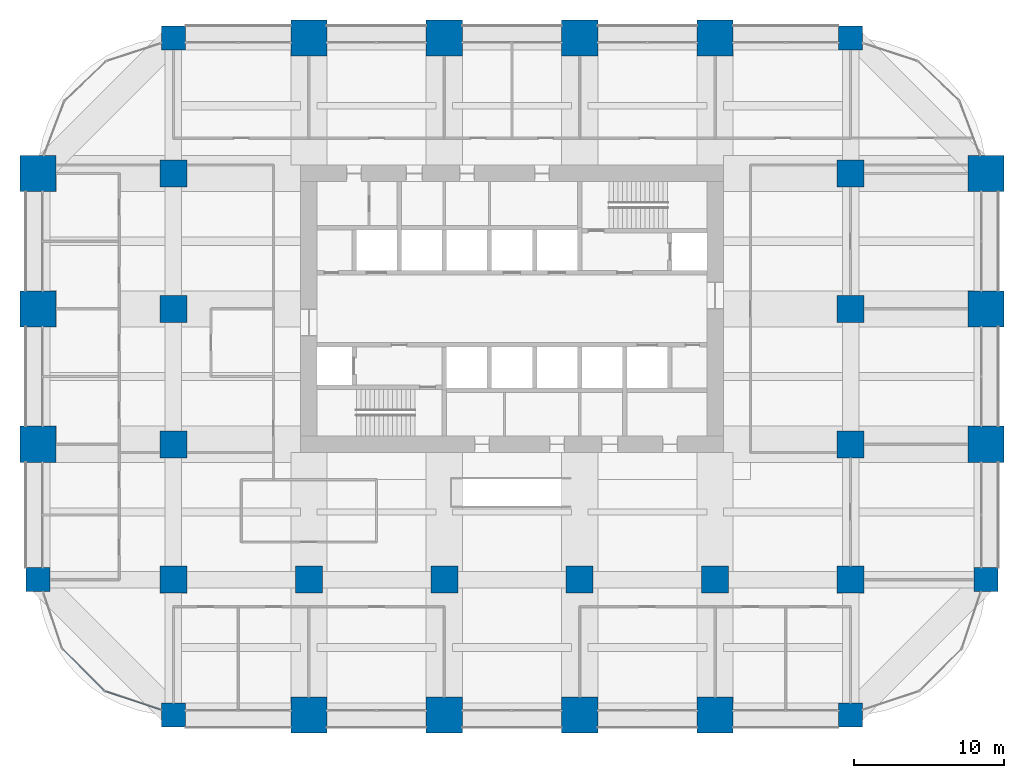
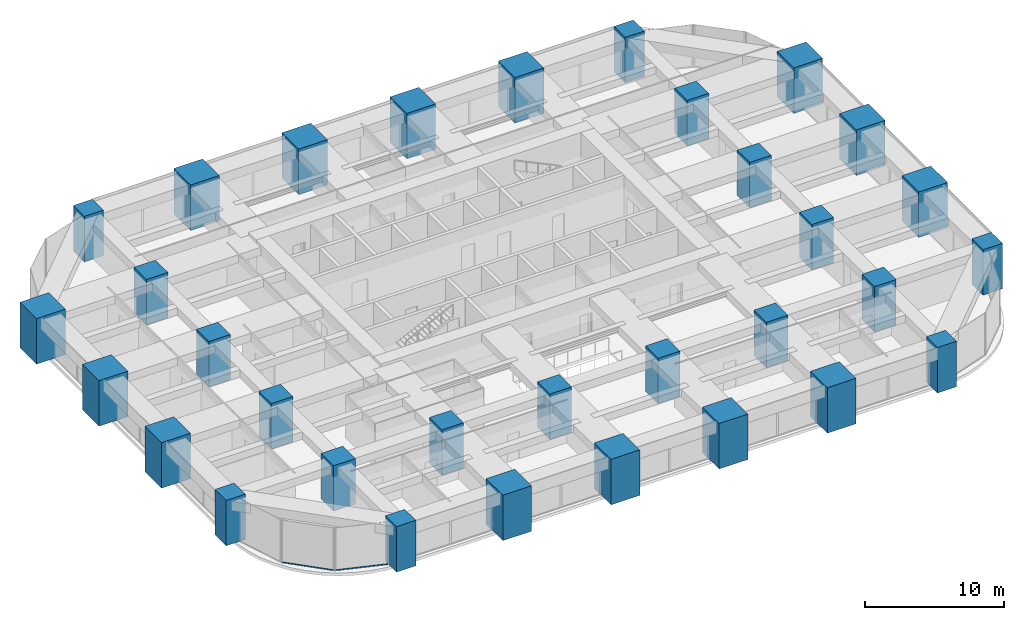
# One storey, part 1 of 43: 32 columns, 2 members, 2 elements without a shape of their own.
"""IFC4 building model written with IfcOpenShell, lengths in metres."""

import ifcopenshell
import ifcopenshell.guid

model = None  # the IFC model being written
_history = None  # IfcOwnerHistory: only IFC2X3 demands one
_inside = {}  # id of a spatial element -> (the spatial element, [elements in it])
_under = {}  # id of a project, library or spatial element -> (it, [spatial elements below it])
_declared = {}  # id of a project -> (the project, [libraries it declares])
_typed = {}  # id of a type object -> (the type object, [elements of that type])
_made_of = {}  # id of a material, layer set ... -> (it, [elements and type objects made of it])


def new_model(schema):
    """Start an empty IFC model of exactly this schema.

    Asked for "IFC4X3", IfcOpenShell would pick the latest addendum, in which some entities
    have other attributes; the version numbers below select the first issue.
    IFC2X3 requires an IfcOwnerHistory on every rooted entity: one is made here for all.
    """
    global model, _history
    if schema == "IFC4X3":
        model = ifcopenshell.file(schema_version=(4, 3, 0, 0))
    else:
        model = ifcopenshell.file(schema=schema)
    _inside.clear()
    _under.clear()
    _declared.clear()
    _typed.clear()
    _made_of.clear()
    _history = None
    if model.schema == "IFC2X3":
        org = make("IfcOrganization", Name="unknown")
        user = make(
            "IfcPersonAndOrganization",
            ThePerson=make("IfcPerson", FamilyName="unknown"),
            TheOrganization=org,
        )
        app = make(
            "IfcApplication",
            ApplicationDeveloper=org,
            Version="unknown",
            ApplicationFullName="unknown",
            ApplicationIdentifier="unknown",
        )
        _history = make(
            "IfcOwnerHistory",
            OwningUser=user,
            OwningApplication=app,
            ChangeAction="ADDED",
            CreationDate=0,
        )
    return model


def make(cls, **values):
    """One entity of the class cls with the attributes given. An attribute that is None is left unset."""
    return model.create_entity(
        cls, **{name: value for name, value in values.items() if value is not None}
    )


def rooted(cls, **values):
    """An entity with a GlobalId (a new one), such as an element, a storey or a relation."""
    return make(cls, GlobalId=ifcopenshell.guid.new(), OwnerHistory=_history, **values)


def si_unit(unit_type, name, prefix=None):
    """IfcSIUnit, for example si_unit("LENGTHUNIT", "METRE", prefix="MILLI")."""
    return make("IfcSIUnit", UnitType=unit_type, Prefix=prefix, Name=name)


def assignment(units):
    """IfcUnitAssignment: the units of a project."""
    return None if units is None else make("IfcUnitAssignment", Units=units)


def point(xyz):
    """IfcCartesianPoint."""
    return None if xyz is None else make("IfcCartesianPoint", Coordinates=xyz)


def direction(xyz):
    """IfcDirection."""
    return None if xyz is None else make("IfcDirection", DirectionRatios=xyz)


def frame(location, z_axis=None, x_axis=None):
    """IfcAxis2Placement3D, a coordinate frame: its origin and axes. An axis left out is left unset."""
    return make(
        "IfcAxis2Placement3D",
        Location=point(location),
        Axis=direction(z_axis),
        RefDirection=direction(x_axis),
    )


def frame_2d(location, x_axis=None):
    """IfcAxis2Placement2D, a coordinate frame in the plane: its origin and x axis."""
    return make(
        "IfcAxis2Placement2D", Location=point(location), RefDirection=direction(x_axis)
    )


def origin():
    """The frame at (0, 0, 0) with its axes left unset."""
    return frame((0.0, 0.0, 0.0))


def origin_2d():
    """The frame at (0, 0) in the plane with its x axis left unset."""
    return frame_2d((0.0, 0.0))


def place(relative_to, where):
    """IfcLocalPlacement: puts the frame where relative to a parent placement (None: the world)."""
    return make(
        "IfcLocalPlacement", PlacementRelTo=relative_to, RelativePlacement=where
    )


def context(
    kind, dimensions, precision=None, world=None, true_north=None, identifier=None
):
    """IfcGeometricRepresentationContext, for example the 3D "Model" context."""
    return make(
        "IfcGeometricRepresentationContext",
        ContextIdentifier=identifier,
        ContextType=kind,
        CoordinateSpaceDimension=dimensions,
        Precision=precision,
        WorldCoordinateSystem=world,
        TrueNorth=true_north,
    )


def subcontext(parent, identifier, kind, view, scale=None):
    """IfcGeometricRepresentationSubContext, for example "Body" below "Model"."""
    return make(
        "IfcGeometricRepresentationSubContext",
        ContextIdentifier=identifier,
        ContextType=kind,
        ParentContext=parent,
        TargetScale=scale,
        TargetView=view,
    )


def project(units=None, contexts=None):
    """IfcProject with its units and contexts."""
    return rooted(
        "IfcProject",
        Name="project",
        RepresentationContexts=contexts,
        UnitsInContext=assignment(units),
    )


def spatial(cls, under=None, at=None, **own):
    """A site, building, storey or space (cls), placed at a placement, below another one or the project."""
    s = rooted(cls, ObjectPlacement=at, **own)
    if under is not None:
        _under.setdefault(under.id(), (under, []))[1].append(s)
    return s


def profile(cls, at=None, kind="AREA", **sizes):
    """A parametric profile (cls). Its sizes go by their IFC names, for example OverallWidth=200.0."""
    return make(cls, ProfileType=kind, Position=at, **sizes)


def rectangle(**sizes):
    """IfcRectangleProfileDef."""
    return profile("IfcRectangleProfileDef", **sizes)


def hollow_rectangle(**sizes):
    """IfcRectangleHollowProfileDef."""
    return profile("IfcRectangleHollowProfileDef", **sizes)


def extrude(swept, where, along, depth):
    """IfcExtrudedAreaSolid: the profile swept, set in the frame where, extruded along a direction by depth."""
    return make(
        "IfcExtrudedAreaSolid",
        SweptArea=swept,
        Position=where,
        ExtrudedDirection=direction(along),
        Depth=depth,
    )


def shape(context_of_items, identifier, shape_type, items):
    """IfcShapeRepresentation: the items that make up one representation, for example the "Body"."""
    return make(
        "IfcShapeRepresentation",
        ContextOfItems=context_of_items,
        RepresentationIdentifier=identifier,
        RepresentationType=shape_type,
        Items=items,
    )


def material(Name=None, Category=None):
    """IfcMaterial."""
    return make("IfcMaterial", Name=Name, Category=Category)


def material_profile(
    of_material, cross_section, Name=None, Category=None, Priority=None
):
    """IfcMaterialProfile: a cross section and its material."""
    return make(
        "IfcMaterialProfile",
        Name=Name,
        Material=of_material,
        Profile=cross_section,
        Priority=Priority,
        Category=Category,
    )


def profile_set(profiles, Name=None, composite=None):
    """IfcMaterialProfileSet."""
    return make(
        "IfcMaterialProfileSet",
        Name=Name,
        MaterialProfiles=profiles,
        CompositeProfile=composite,
    )


def made_of(thing, what):
    """Note that an element or type object is made of a material, layer set ...; save() writes the relation."""
    if what is not None:
        _made_of.setdefault(what.id(), (what, []))[1].append(thing)
    return thing


def type_object(cls, material=None, **own):
    """A type object (cls), such as IfcWallType, which elements share."""
    return made_of(rooted(cls, **own), material)


def element(
    cls,
    number,
    at=None,
    inside=None,
    cuts=None,
    type_object=None,
    material=None,
    context=None,
    identifier="Body",
    shape_type=None,
    held_by="IfcProductDefinitionShape",
    body=None,
    shapes=None,
    **own,
):
    """One element of the class cls, such as IfcWall. Its Tag is "e" and its number.

    at: its placement. inside: the storey or other place that contains it. cuts: it is an
    opening in that element (IfcRelVoidsElement). A single representation is given by context,
    identifier, shape_type and body (its items); several are given by shapes. held_by: the class
    of the entity that holds the representations. save() writes the other relations.
    """
    e = rooted(cls, Tag="e%d" % number, ObjectPlacement=at, **own)
    if body is not None:
        shapes = [shape(context, identifier, shape_type, body)]
    if shapes is not None:
        e.Representation = make(held_by, Representations=shapes)
    if inside is not None:
        _inside.setdefault(inside.id(), (inside, []))[1].append(e)
    if cuts is not None:
        rooted(
            "IfcRelVoidsElement", RelatingBuildingElement=cuts, RelatedOpeningElement=e
        )
    if type_object is not None:
        _typed.setdefault(type_object.id(), (type_object, []))[1].append(e)
    return made_of(e, material)


def aggregate(whole, parts):
    """IfcRelAggregates: a whole, such as a stair, and the parts it consists of."""
    return rooted("IfcRelAggregates", RelatingObject=whole, RelatedObjects=parts)


def save(model, path):
    """Write the relations noted so far, then the file.

    IfcRelAggregates (storeys below a building ...), IfcRelContainedInSpatialStructure (elements
    in a storey), IfcRelDefinesByType, IfcRelAssociatesMaterial and IfcRelDeclares: one each for
    every whole, place, type object, material and project.
    """
    for whole, parts in _under.values():
        aggregate(whole, parts)
    for where, things in _inside.values():
        rooted(
            "IfcRelContainedInSpatialStructure",
            RelatedElements=things,
            RelatingStructure=where,
        )
    for kind, things in _typed.values():
        rooted("IfcRelDefinesByType", RelatedObjects=things, RelatingType=kind)
    for what, things in _made_of.values():
        rooted("IfcRelAssociatesMaterial", RelatedObjects=things, RelatingMaterial=what)
    for by, libraries in _declared.values():
        rooted("IfcRelDeclares", RelatingContext=by, RelatedDefinitions=libraries)
    model.write(path)


model = new_model("IFC4")

# Units and contexts
model_context = context("Model", 3, precision=1e-05, world=origin(), true_north=direction((0.0, 1.0)))
body_context = subcontext(model_context, "Body", "Model", "MODEL_VIEW")
ifc_project = project(units=[si_unit("LENGTHUNIT", "METRE"), si_unit("AREAUNIT", "SQUARE_METRE"), si_unit("VOLUMEUNIT", "CUBIC_METRE"), si_unit("PLANEANGLEUNIT", "RADIAN"), si_unit("MASSUNIT", "GRAM", prefix="KILO")], contexts=[model_context])

# Site, building, storey
site_placement = place(None, origin())
site = spatial("IfcSite", under=ifc_project, at=site_placement, CompositionType="ELEMENT")
building_placement = place(site_placement, origin())
building = spatial("IfcBuilding", under=site, at=building_placement, Name="Zorevar Civic Tower", CompositionType="ELEMENT")
storey_placement = place(building_placement, frame((0.0, 0.0, 141.0)))
storey = spatial("IfcBuildingStorey", under=building, at=storey_placement, Name="L34", CompositionType="ELEMENT", Elevation=141.0)

# Columns
ifc_material_1 = material(Name="Concrete C50/60", Category="concrete")
ifc_material_profile_1 = material_profile(ifc_material_1, rectangle(XDim=1.60009765625, YDim=1.60009765625, at=origin_2d()), Name="RC 1600x1600")
ifc_profile_set_1 = profile_set([ifc_material_profile_1], Name="Concrete C50/60")
column_type_1 = type_object("IfcColumnType", Name="Column RC 1600x1600", PredefinedType="COLUMN", material=ifc_profile_set_1)
for number, where, z_axis, x_axis, name in (
    (1, (0.0, 9.0, 0.0), (0.0, 0.0, 1.0), (1.0, 0.0, 0.0), "Column 2B L34"),
    (2, (9.0, 0.0, 0.0), (0.0, 0.0, 1.0), (1.0, 0.0, 0.0), "Column 3A L34"),
    (3, (9.0, 45.0, 0.0), (0.0, 0.0, 1.0), (1.0, 0.0, 0.0), "Column 3F L34"),
    (4, (54.0, 0.0, 0.0), (0.0, 0.0, 1.0), (1.0, 0.0, 0.0), "Column 8A L34"),
    (5, (54.0, 45.0, 0.0), (0.0, 0.0, 1.0), (1.0, 0.0, 0.0), "Column 8F L34"),
    (6, (63.0, 9.0, 0.0), (0.0, 0.0, 1.0), (1.0, 0.0, 0.0), "Column 9B L34"),
):
    element("IfcColumn", number, at=place(storey_placement, frame(where, z_axis=z_axis, x_axis=x_axis)), inside=storey, type_object=column_type_1, Name=name, PredefinedType="COLUMN", context=body_context, shape_type="SweptSolid", body=[
        extrude(rectangle(XDim=1.60009765625, YDim=1.60009765625, at=origin_2d()), origin(), (0.0, 0.0, 1.0), 4.0),
    ])
ifc_material_2 = material(Name="Concrete C50/60", Category="concrete")
ifc_material_profile_2 = material_profile(ifc_material_2, rectangle(XDim=1.800048828125, YDim=1.800048828125, at=origin_2d()), Name="RC 1800x1800")
ifc_profile_set_2 = profile_set([ifc_material_profile_2], Name="Concrete C50/60")
column_type_2 = type_object("IfcColumnType", Name="Column RC 1800x1800", PredefinedType="COLUMN", material=ifc_profile_set_2)
for number, where, z_axis, x_axis, name in (
    (7, (9.0, 9.0, 0.0), (0.0, 0.0, 1.0), (1.0, 0.0, 0.0), "Column 3B L34"),
    (8, (9.0, 18.0, 0.0), (0.0, 0.0, 1.0), (1.0, 0.0, 0.0), "Column 3C L34"),
    (9, (9.0, 27.0, 0.0), (0.0, 0.0, 1.0), (1.0, 0.0, 0.0), "Column 3D L34"),
    (10, (9.0, 36.0, 0.0), (0.0, 0.0, 1.0), (1.0, 0.0, 0.0), "Column 3E L34"),
    (11, (18.0, 9.0, 0.0), (0.0, 0.0, 1.0), (1.0, 0.0, 0.0), "Column 4B L34"),
    (12, (27.0, 9.0, 0.0), (0.0, 0.0, 1.0), (1.0, 0.0, 0.0), "Column 5B L34"),
    (13, (36.0, 9.0, 0.0), (0.0, 0.0, 1.0), (1.0, 0.0, 0.0), "Column 6B L34"),
    (14, (45.0, 9.0, 0.0), (0.0, 0.0, 1.0), (1.0, 0.0, 0.0), "Column 7B L34"),
    (15, (54.0, 9.0, 0.0), (0.0, 0.0, 1.0), (1.0, 0.0, 0.0), "Column 8B L34"),
    (16, (54.0, 18.0, 0.0), (0.0, 0.0, 1.0), (1.0, 0.0, 0.0), "Column 8C L34"),
    (17, (54.0, 27.0, 0.0), (0.0, 0.0, 1.0), (1.0, 0.0, 0.0), "Column 8D L34"),
    (18, (54.0, 36.0, 0.0), (0.0, 0.0, 1.0), (1.0, 0.0, 0.0), "Column 8E L34"),
):
    element("IfcColumn", number, at=place(storey_placement, frame(where, z_axis=z_axis, x_axis=x_axis)), inside=storey, type_object=column_type_2, Name=name, PredefinedType="COLUMN", context=body_context, shape_type="SweptSolid", body=[
        extrude(rectangle(XDim=1.800048828125, YDim=1.800048828125, at=origin_2d()), origin(), (0.0, 0.0, 1.0), 4.0),
    ])
ifc_material_3 = material(Name="Concrete C50/60", Category="concrete")
ifc_material_profile_3 = material_profile(ifc_material_3, rectangle(XDim=2.39990234375, YDim=2.39990234375, at=origin_2d()), Name="RC 2400x2400")
ifc_profile_set_3 = profile_set([ifc_material_profile_3], Name="Concrete C50/60")
column_type_3 = type_object("IfcColumnType", Name="Mega column RC 2400x2400", PredefinedType="COLUMN", material=ifc_profile_set_3)
for number, where, z_axis, x_axis, name in (
    (19, (0.0, 18.0, 0.0), (0.0, 0.0, 1.0), (1.0, 0.0, 0.0), "Column 2C L34"),
    (20, (0.0, 27.0, 0.0), (0.0, 0.0, 1.0), (1.0, 0.0, 0.0), "Column 2D L34"),
    (21, (0.0, 36.0, 0.0), (0.0, 0.0, 1.0), (1.0, 0.0, 0.0), "Column 2E L34"),
    (22, (18.0, 0.0, 0.0), (0.0, 0.0, 1.0), (1.0, 0.0, 0.0), "Column 4A L34"),
    (23, (18.0, 45.0, 0.0), (0.0, 0.0, 1.0), (1.0, 0.0, 0.0), "Column 4F L34"),
    (24, (27.0, 0.0, 0.0), (0.0, 0.0, 1.0), (1.0, 0.0, 0.0), "Column 5A L34"),
    (25, (27.0, 45.0, 0.0), (0.0, 0.0, 1.0), (1.0, 0.0, 0.0), "Column 5F L34"),
    (26, (36.0, 0.0, 0.0), (0.0, 0.0, 1.0), (1.0, 0.0, 0.0), "Column 6A L34"),
    (27, (36.0, 45.0, 0.0), (0.0, 0.0, 1.0), (1.0, 0.0, 0.0), "Column 6F L34"),
    (28, (45.0, 0.0, 0.0), (0.0, 0.0, 1.0), (1.0, 0.0, 0.0), "Column 7A L34"),
    (29, (45.0, 45.0, 0.0), (0.0, 0.0, 1.0), (1.0, 0.0, 0.0), "Column 7F L34"),
    (30, (63.0, 18.0, 0.0), (0.0, 0.0, 1.0), (1.0, 0.0, 0.0), "Column 9C L34"),
    (31, (63.0, 27.0, 0.0), (0.0, 0.0, 1.0), (1.0, 0.0, 0.0), "Column 9D L34"),
    (32, (63.0, 36.0, 0.0), (0.0, 0.0, 1.0), (1.0, 0.0, 0.0), "Column 9E L34"),
):
    element("IfcColumn", number, at=place(storey_placement, frame(where, z_axis=z_axis, x_axis=x_axis)), inside=storey, type_object=column_type_3, Name=name, PredefinedType="COLUMN", context=body_context, shape_type="SweptSolid", body=[
        extrude(rectangle(XDim=2.39990234375, YDim=2.39990234375, at=origin_2d()), origin(), (0.0, 0.0, 1.0), 4.0),
    ])

# Curtain wall, member
ifc_material_4 = material(Name="Dark grey solar-control glass in black aluminium frame", Category="aluminium")
curtain_wall_type = type_object("IfcCurtainWallType", Name="Curtain wall CW3 mid zone", PredefinedType="NOTDEFINED", material=ifc_material_4)
curtain_wall_1_placement = place(storey_placement, origin())
curtain_wall_1 = element("IfcCurtainWall", 33, at=curtain_wall_1_placement, inside=storey, type_object=curtain_wall_type, Name="CW3 L34", PredefinedType="NOTDEFINED")
ifc_material_5 = material(Name="Aluminium, black anodised", Category="aluminium")
ifc_material_profile_4 = material_profile(ifc_material_5, hollow_rectangle(XDim=0.06005859375, YDim=0.1201171875, WallThickness=0.0029296875, at=origin_2d()), Name="AL 120x60x3")
ifc_profile_set_4 = profile_set([ifc_material_profile_4], Name="Aluminium, black anodised")
member_type = type_object("IfcMemberType", Name="CW3 transom AL 120x60x3", PredefinedType="USERDEFINED", material=ifc_profile_set_4)
member_1_placement = place(storey_placement, frame((1.64501953125, 4.37841796875, 0.030029296875), z_axis=(0.707106781187, -0.707106781187, 0.0), x_axis=(0.707106781187, 0.707106781187, 0.0)))
member_1 = element("IfcMember", 34, at=member_1_placement, type_object=member_type, Name="CW3 sill transom", ObjectType="TRANSOM", PredefinedType="USERDEFINED", context=body_context, shape_type="SweptSolid", body=[
    extrude(hollow_rectangle(XDim=0.06005859375, YDim=0.1201171875, WallThickness=0.0029296875, at=origin_2d()), origin(), (0.0, 0.0, 1.0), 3.86572265625),
])
aggregate(curtain_wall_1, [member_1])

curtain_wall_2_placement = place(storey_placement, origin())
curtain_wall_2 = element("IfcCurtainWall", 35, at=curtain_wall_2_placement, inside=storey, type_object=curtain_wall_type, Name="CW3 L34", PredefinedType="NOTDEFINED")
member_2_placement = place(storey_placement, frame((4.477783203125, 1.583740234375, 0.030029296875), z_axis=(0.94821488093, -0.317629563458, 0.0), x_axis=(0.317629563458, 0.94821488093, 0.0)))
member_2 = element("IfcMember", 36, at=member_2_placement, type_object=member_type, Name="CW3 sill transom", ObjectType="TRANSOM", PredefinedType="USERDEFINED", context=body_context, shape_type="SweptSolid", body=[
    extrude(hollow_rectangle(XDim=0.06005859375, YDim=0.1201171875, WallThickness=0.0029296875, at=origin_2d()), origin(), (0.0, 0.0, 1.0), 3.865478515625),
])
aggregate(curtain_wall_2, [member_2])

save(model, "model.ifc")
